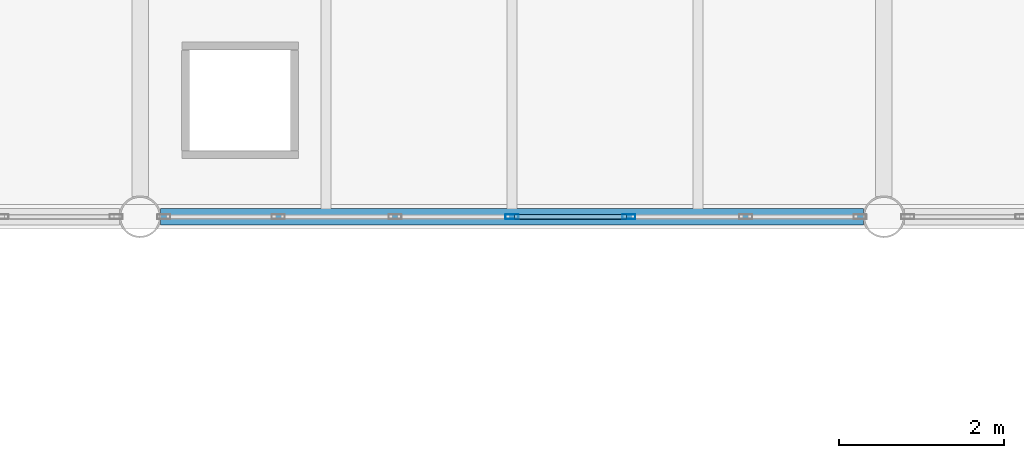
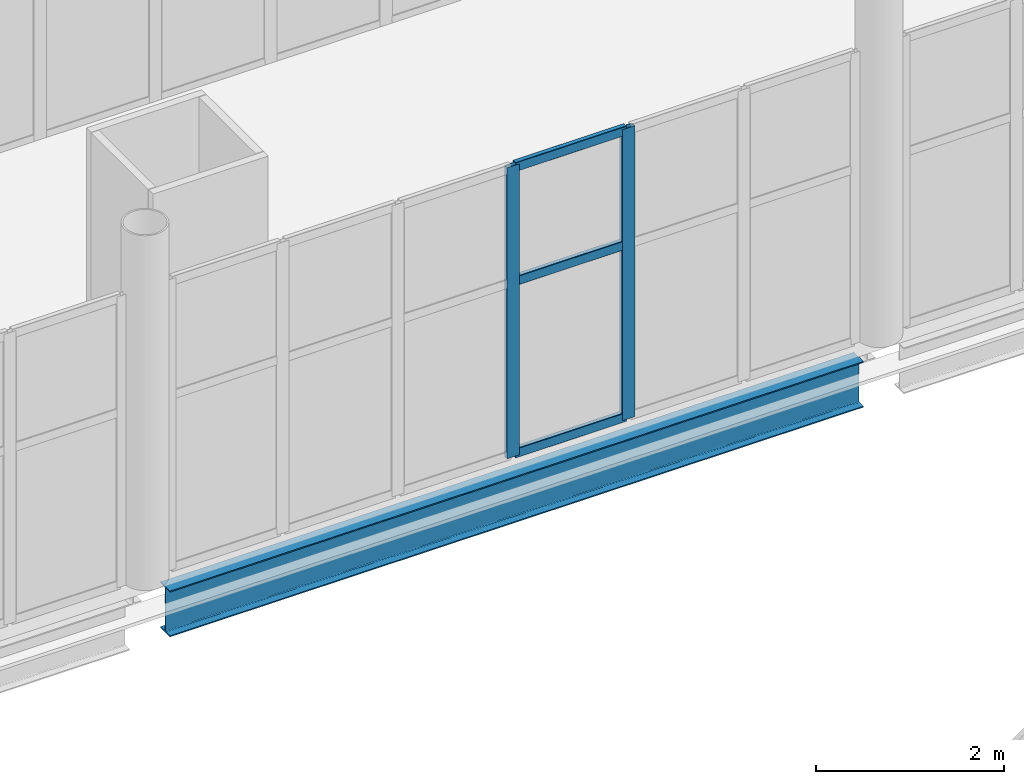
# One storey, part 90 of 172: 5 members, 1 beam, 1 element without a shape of its own.
"""IFC4 building model written with IfcOpenShell, lengths in metres."""

import ifcopenshell
import ifcopenshell.guid

model = None  # the IFC model being written
_history = None  # IfcOwnerHistory: only IFC2X3 demands one
_inside = {}  # id of a spatial element -> (the spatial element, [elements in it])
_under = {}  # id of a project, library or spatial element -> (it, [spatial elements below it])
_declared = {}  # id of a project -> (the project, [libraries it declares])
_typed = {}  # id of a type object -> (the type object, [elements of that type])
_made_of = {}  # id of a material, layer set ... -> (it, [elements and type objects made of it])


def new_model(schema):
    """Start an empty IFC model of exactly this schema.

    Asked for "IFC4X3", IfcOpenShell would pick the latest addendum, in which some entities
    have other attributes; the version numbers below select the first issue.
    IFC2X3 requires an IfcOwnerHistory on every rooted entity: one is made here for all.
    """
    global model, _history
    if schema == "IFC4X3":
        model = ifcopenshell.file(schema_version=(4, 3, 0, 0))
    else:
        model = ifcopenshell.file(schema=schema)
    _inside.clear()
    _under.clear()
    _declared.clear()
    _typed.clear()
    _made_of.clear()
    _history = None
    if model.schema == "IFC2X3":
        org = make("IfcOrganization", Name="unknown")
        user = make(
            "IfcPersonAndOrganization",
            ThePerson=make("IfcPerson", FamilyName="unknown"),
            TheOrganization=org,
        )
        app = make(
            "IfcApplication",
            ApplicationDeveloper=org,
            Version="unknown",
            ApplicationFullName="unknown",
            ApplicationIdentifier="unknown",
        )
        _history = make(
            "IfcOwnerHistory",
            OwningUser=user,
            OwningApplication=app,
            ChangeAction="ADDED",
            CreationDate=0,
        )
    return model


def make(cls, **values):
    """One entity of the class cls with the attributes given. An attribute that is None is left unset."""
    return model.create_entity(
        cls, **{name: value for name, value in values.items() if value is not None}
    )


def rooted(cls, **values):
    """An entity with a GlobalId (a new one), such as an element, a storey or a relation."""
    return make(cls, GlobalId=ifcopenshell.guid.new(), OwnerHistory=_history, **values)


def si_unit(unit_type, name, prefix=None):
    """IfcSIUnit, for example si_unit("LENGTHUNIT", "METRE", prefix="MILLI")."""
    return make("IfcSIUnit", UnitType=unit_type, Prefix=prefix, Name=name)


def assignment(units):
    """IfcUnitAssignment: the units of a project."""
    return None if units is None else make("IfcUnitAssignment", Units=units)


def point(xyz):
    """IfcCartesianPoint."""
    return None if xyz is None else make("IfcCartesianPoint", Coordinates=xyz)


def direction(xyz):
    """IfcDirection."""
    return None if xyz is None else make("IfcDirection", DirectionRatios=xyz)


def frame(location, z_axis=None, x_axis=None):
    """IfcAxis2Placement3D, a coordinate frame: its origin and axes. An axis left out is left unset."""
    return make(
        "IfcAxis2Placement3D",
        Location=point(location),
        Axis=direction(z_axis),
        RefDirection=direction(x_axis),
    )


def frame_2d(location, x_axis=None):
    """IfcAxis2Placement2D, a coordinate frame in the plane: its origin and x axis."""
    return make(
        "IfcAxis2Placement2D", Location=point(location), RefDirection=direction(x_axis)
    )


def origin():
    """The frame at (0, 0, 0) with its axes left unset."""
    return frame((0.0, 0.0, 0.0))


def origin_2d():
    """The frame at (0, 0) in the plane with its x axis left unset."""
    return frame_2d((0.0, 0.0))


def place(relative_to, where):
    """IfcLocalPlacement: puts the frame where relative to a parent placement (None: the world)."""
    return make(
        "IfcLocalPlacement", PlacementRelTo=relative_to, RelativePlacement=where
    )


def context(
    kind, dimensions, precision=None, world=None, true_north=None, identifier=None
):
    """IfcGeometricRepresentationContext, for example the 3D "Model" context."""
    return make(
        "IfcGeometricRepresentationContext",
        ContextIdentifier=identifier,
        ContextType=kind,
        CoordinateSpaceDimension=dimensions,
        Precision=precision,
        WorldCoordinateSystem=world,
        TrueNorth=true_north,
    )


def subcontext(parent, identifier, kind, view, scale=None):
    """IfcGeometricRepresentationSubContext, for example "Body" below "Model"."""
    return make(
        "IfcGeometricRepresentationSubContext",
        ContextIdentifier=identifier,
        ContextType=kind,
        ParentContext=parent,
        TargetScale=scale,
        TargetView=view,
    )


def project(units=None, contexts=None):
    """IfcProject with its units and contexts."""
    return rooted(
        "IfcProject",
        Name="project",
        RepresentationContexts=contexts,
        UnitsInContext=assignment(units),
    )


def spatial(cls, under=None, at=None, **own):
    """A site, building, storey or space (cls), placed at a placement, below another one or the project."""
    s = rooted(cls, ObjectPlacement=at, **own)
    if under is not None:
        _under.setdefault(under.id(), (under, []))[1].append(s)
    return s


def profile(cls, at=None, kind="AREA", **sizes):
    """A parametric profile (cls). Its sizes go by their IFC names, for example OverallWidth=200.0."""
    return make(cls, ProfileType=kind, Position=at, **sizes)


def hollow_rectangle(**sizes):
    """IfcRectangleHollowProfileDef."""
    return profile("IfcRectangleHollowProfileDef", **sizes)


def i_section(**sizes):
    """IfcIShapeProfileDef."""
    return profile("IfcIShapeProfileDef", **sizes)


def extrude(swept, where, along, depth):
    """IfcExtrudedAreaSolid: the profile swept, set in the frame where, extruded along a direction by depth."""
    return make(
        "IfcExtrudedAreaSolid",
        SweptArea=swept,
        Position=where,
        ExtrudedDirection=direction(along),
        Depth=depth,
    )


def shape(context_of_items, identifier, shape_type, items):
    """IfcShapeRepresentation: the items that make up one representation, for example the "Body"."""
    return make(
        "IfcShapeRepresentation",
        ContextOfItems=context_of_items,
        RepresentationIdentifier=identifier,
        RepresentationType=shape_type,
        Items=items,
    )


def material(Name=None, Category=None):
    """IfcMaterial."""
    return make("IfcMaterial", Name=Name, Category=Category)


def material_profile(
    of_material, cross_section, Name=None, Category=None, Priority=None
):
    """IfcMaterialProfile: a cross section and its material."""
    return make(
        "IfcMaterialProfile",
        Name=Name,
        Material=of_material,
        Profile=cross_section,
        Priority=Priority,
        Category=Category,
    )


def profile_set(profiles, Name=None, composite=None):
    """IfcMaterialProfileSet."""
    return make(
        "IfcMaterialProfileSet",
        Name=Name,
        MaterialProfiles=profiles,
        CompositeProfile=composite,
    )


def made_of(thing, what):
    """Note that an element or type object is made of a material, layer set ...; save() writes the relation."""
    if what is not None:
        _made_of.setdefault(what.id(), (what, []))[1].append(thing)
    return thing


def type_object(cls, material=None, **own):
    """A type object (cls), such as IfcWallType, which elements share."""
    return made_of(rooted(cls, **own), material)


def element(
    cls,
    number,
    at=None,
    inside=None,
    cuts=None,
    type_object=None,
    material=None,
    context=None,
    identifier="Body",
    shape_type=None,
    held_by="IfcProductDefinitionShape",
    body=None,
    shapes=None,
    **own,
):
    """One element of the class cls, such as IfcWall. Its Tag is "e" and its number.

    at: its placement. inside: the storey or other place that contains it. cuts: it is an
    opening in that element (IfcRelVoidsElement). A single representation is given by context,
    identifier, shape_type and body (its items); several are given by shapes. held_by: the class
    of the entity that holds the representations. save() writes the other relations.
    """
    e = rooted(cls, Tag="e%d" % number, ObjectPlacement=at, **own)
    if body is not None:
        shapes = [shape(context, identifier, shape_type, body)]
    if shapes is not None:
        e.Representation = make(held_by, Representations=shapes)
    if inside is not None:
        _inside.setdefault(inside.id(), (inside, []))[1].append(e)
    if cuts is not None:
        rooted(
            "IfcRelVoidsElement", RelatingBuildingElement=cuts, RelatedOpeningElement=e
        )
    if type_object is not None:
        _typed.setdefault(type_object.id(), (type_object, []))[1].append(e)
    return made_of(e, material)


def aggregate(whole, parts):
    """IfcRelAggregates: a whole, such as a stair, and the parts it consists of."""
    return rooted("IfcRelAggregates", RelatingObject=whole, RelatedObjects=parts)


def save(model, path):
    """Write the relations noted so far, then the file.

    IfcRelAggregates (storeys below a building ...), IfcRelContainedInSpatialStructure (elements
    in a storey), IfcRelDefinesByType, IfcRelAssociatesMaterial and IfcRelDeclares: one each for
    every whole, place, type object, material and project.
    """
    for whole, parts in _under.values():
        aggregate(whole, parts)
    for where, things in _inside.values():
        rooted(
            "IfcRelContainedInSpatialStructure",
            RelatedElements=things,
            RelatingStructure=where,
        )
    for kind, things in _typed.values():
        rooted("IfcRelDefinesByType", RelatedObjects=things, RelatingType=kind)
    for what, things in _made_of.values():
        rooted("IfcRelAssociatesMaterial", RelatedObjects=things, RelatingMaterial=what)
    for by, libraries in _declared.values():
        rooted("IfcRelDeclares", RelatingContext=by, RelatedDefinitions=libraries)
    model.write(path)


model = new_model("IFC4")

# Units and contexts
model_context = context("Model", 3, precision=1e-05, world=origin(), true_north=direction((0.0, 1.0)))
body_context = subcontext(model_context, "Body", "Model", "MODEL_VIEW")
ifc_project = project(units=[si_unit("LENGTHUNIT", "METRE"), si_unit("AREAUNIT", "SQUARE_METRE"), si_unit("VOLUMEUNIT", "CUBIC_METRE"), si_unit("PLANEANGLEUNIT", "RADIAN"), si_unit("MASSUNIT", "GRAM", prefix="KILO")], contexts=[model_context])

# Site, building, storey
site_placement = place(None, origin())
site = spatial("IfcSite", under=ifc_project, at=site_placement, CompositionType="ELEMENT")
building_placement = place(site_placement, origin())
building = spatial("IfcBuilding", under=site, at=building_placement, Name="Shengluoqiao Park Theatre", CompositionType="ELEMENT")
storey_placement = place(building_placement, frame((0.0, 0.0, 5.39990234375)))
storey = spatial("IfcBuildingStorey", under=building, at=storey_placement, Name="L01", CompositionType="ELEMENT", Elevation=5.39990234375)

# Curtain wall, members
ifc_material_1 = material(Name="Aluminium 6063-T6", Category="aluminium")
curtain_wall_type = type_object("IfcCurtainWallType", Name="ENV-CW-BRIDGE", PredefinedType="NOTDEFINED", material=ifc_material_1)
curtain_wall_placement = place(storey_placement, origin())
curtain_wall = element("IfcCurtainWall", 1, at=curtain_wall_placement, inside=storey, type_object=curtain_wall_type, Name="L01 Curtain Wall CWX-L01-0095", PredefinedType="NOTDEFINED")
ifc_material_profile_1 = material_profile(ifc_material_1, hollow_rectangle(XDim=0.06005859375, YDim=0.159912109375, WallThickness=0.00390625, InnerFilletRadius=0.00390625, OuterFilletRadius=0.008056640625, at=origin_2d()), Name="ALU MULLION 160x60x4")
ifc_profile_set_1 = profile_set([ifc_material_profile_1], Name="Aluminium 6063-T6")
member_type_1 = type_object("IfcMemberType", Name="ENV-MUL-160", PredefinedType="MULLION", material=ifc_profile_set_1)
member_1_placement = place(storey_placement, frame((125.89990234375, 68.39990234375, 0.0), z_axis=(0.0, 0.0, 1.0), x_axis=(0.0, 1.0, 0.0)))
member_1 = element("IfcMember", 2, at=member_1_placement, type_object=member_type_1, Name="CW-03 mullion 4", PredefinedType="MULLION", context=body_context, shape_type="SweptSolid", body=[
    extrude(hollow_rectangle(XDim=0.06005859375, YDim=0.159912109375, WallThickness=0.00390625, InnerFilletRadius=0.00390625, OuterFilletRadius=0.008056640625, at=origin_2d()), origin(), (0.0, 0.0, 1.0), 3.772216796875),
])
member_2_placement = place(storey_placement, frame((127.31396484375, 68.39990234375, 0.0), z_axis=(0.0, 0.0, 1.0), x_axis=(0.0, 1.0, 0.0)))
member_2 = element("IfcMember", 3, at=member_2_placement, type_object=member_type_1, Name="CW-03 mullion 5", PredefinedType="MULLION", context=body_context, shape_type="SweptSolid", body=[
    extrude(hollow_rectangle(XDim=0.06005859375, YDim=0.159912109375, WallThickness=0.00390625, InnerFilletRadius=0.00390625, OuterFilletRadius=0.008056640625, at=origin_2d()), origin(), (0.0, 0.0, 1.0), 3.772216796875),
])
ifc_material_profile_2 = material_profile(ifc_material_1, hollow_rectangle(XDim=0.06005859375, YDim=0.1201171875, WallThickness=0.00390625, InnerFilletRadius=0.00390625, OuterFilletRadius=0.008056640625, at=origin_2d()), Name="ALU TRANSOM 120x60x4")
ifc_profile_set_2 = profile_set([ifc_material_profile_2], Name="Aluminium 6063-T6")
member_type_2 = type_object("IfcMemberType", Name="ENV-TRN-120", PredefinedType="USERDEFINED", material=ifc_profile_set_2)
member_3_placement = place(storey_placement, frame((125.929931640625, 68.39990234375, 0.030029296875), z_axis=(1.0, 0.0, 0.0), x_axis=(0.0, 1.0, 0.0)))
member_3 = element("IfcMember", 4, at=member_3_placement, type_object=member_type_2, Name="CW-03 transom 4.1", ObjectType="TRANSOM", PredefinedType="USERDEFINED", context=body_context, shape_type="SweptSolid", body=[
    extrude(hollow_rectangle(XDim=0.06005859375, YDim=0.1201171875, WallThickness=0.00390625, InnerFilletRadius=0.00390625, OuterFilletRadius=0.008056640625, at=origin_2d()), origin(), (0.0, 0.0, 1.0), 1.35400390625),
])
member_4_placement = place(storey_placement, frame((125.929931640625, 68.39990234375, 2.26318359375), z_axis=(1.0, 0.0, 0.0), x_axis=(0.0, 1.0, 0.0)))
member_4 = element("IfcMember", 5, at=member_4_placement, type_object=member_type_2, Name="CW-03 transom 4.2", ObjectType="TRANSOM", PredefinedType="USERDEFINED", context=body_context, shape_type="SweptSolid", body=[
    extrude(hollow_rectangle(XDim=0.06005859375, YDim=0.1201171875, WallThickness=0.00390625, InnerFilletRadius=0.00390625, OuterFilletRadius=0.008056640625, at=origin_2d()), origin(), (0.0, 0.0, 1.0), 1.35400390625),
])
member_5_placement = place(storey_placement, frame((125.929931640625, 68.39990234375, 3.7421875), z_axis=(1.0, 0.0, 0.0), x_axis=(0.0, 1.0, 0.0)))
member_5 = element("IfcMember", 6, at=member_5_placement, type_object=member_type_2, Name="CW-03 transom 4.3", ObjectType="TRANSOM", PredefinedType="USERDEFINED", context=body_context, shape_type="SweptSolid", body=[
    extrude(hollow_rectangle(XDim=0.06005859375, YDim=0.1201171875, WallThickness=0.00390625, InnerFilletRadius=0.00390625, OuterFilletRadius=0.008056640625, at=origin_2d()), origin(), (0.0, 0.0, 1.0), 1.35400390625),
])
aggregate(curtain_wall, [member_1, member_2, member_3, member_4, member_5])

# Beam
ifc_material_2 = material(Name="Steel Q355", Category="steel")
ifc_material_profile_3 = material_profile(ifc_material_2, i_section(OverallWidth=0.198974609375, OverallDepth=0.595947265625, WebThickness=0.010009765625, FlangeThickness=0.014892578125, FilletRadius=0.02001953125, at=origin_2d()), Name="HN 596x199x10x15")
ifc_profile_set_3 = profile_set([ifc_material_profile_3], Name="Steel Q355")
beam_type = type_object("IfcBeamType", Name="STR-BM-SP-HN596", PredefinedType="SPANDREL", material=ifc_profile_set_3)
beam_placement = place(storey_placement, frame((121.64794921875, 68.39990234375, -0.5078125), z_axis=(1.0, 0.0, 0.0), x_axis=(0.0, 1.0, 0.0)))
element("IfcBeam", 7, at=beam_placement, inside=storey, type_object=beam_type, Name="L01 Primary Girder 00520", PredefinedType="SPANDREL", context=body_context, shape_type="SweptSolid", body=[
    extrude(i_section(OverallWidth=0.198974609375, OverallDepth=0.595947265625, WebThickness=0.010009765625, FlangeThickness=0.014892578125, FilletRadius=0.02001953125, at=origin_2d()), origin(), (0.0, 0.0, 1.0), 8.504150390625),
])

save(model, "model.ifc")
